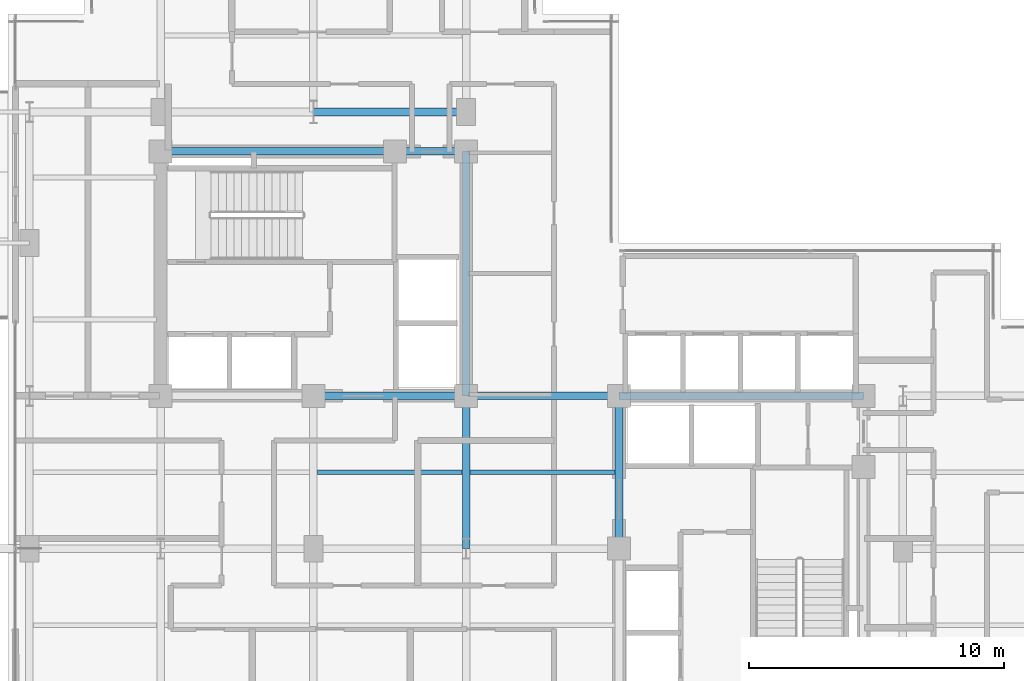
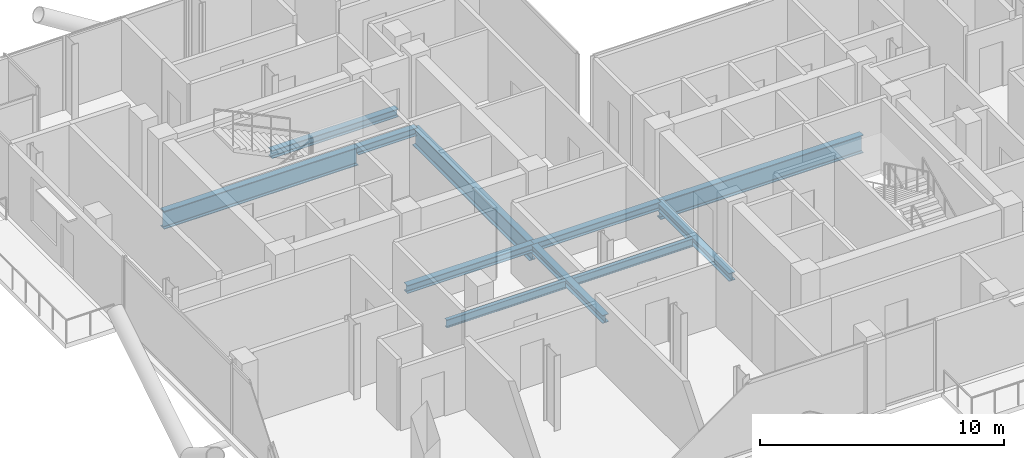
# One storey, part 9 of 26: 11 beams.
"""IFC4 building model written with IfcOpenShell, lengths in metres."""

from ifc_helpers import new_model, si_unit, direction, frame, origin, origin_2d, place, context, subcontext, project, spatial, i_section, extrude, material, material_profile, profile_set, type_object, element, save


model = new_model("IFC4")

# Units and contexts
model_context = context("Model", 3, precision=1e-05, world=origin(), true_north=direction((0.0, 1.0)))
body_context = subcontext(model_context, "Body", "Model", "MODEL_VIEW")
ifc_project = project(units=[si_unit("LENGTHUNIT", "METRE"), si_unit("AREAUNIT", "SQUARE_METRE"), si_unit("VOLUMEUNIT", "CUBIC_METRE"), si_unit("PLANEANGLEUNIT", "RADIAN"), si_unit("MASSUNIT", "GRAM", prefix="KILO"), si_unit("THERMODYNAMICTEMPERATUREUNIT", "KELVIN"), si_unit("POWERUNIT", "WATT")], contexts=[model_context])

# Site, building, storey
site_placement = place(None, origin())
site = spatial("IfcSite", under=ifc_project, at=site_placement, CompositionType="ELEMENT")
building_placement = place(site_placement, origin())
building = spatial("IfcBuilding", under=site, at=building_placement, Name="Svarakhadi Broadcast Tower", CompositionType="ELEMENT")
storey_placement = place(building_placement, frame((0.0, 0.0, 184.199951171875)))
storey = spatial("IfcBuildingStorey", under=building, at=storey_placement, Name="L45", CompositionType="ELEMENT", Elevation=184.199951171875)

# Beams
ifc_material_1 = material(Name="Steel S355J2 (IS 2062 E350C)", Category="steel")
ifc_material_profile_1 = material_profile(ifc_material_1, i_section(OverallWidth=0.179931640625, OverallDepth=0.39990234375, WebThickness=0.008544921875, FlangeThickness=0.013427734375, FilletRadius=0.02099609375, at=origin_2d()), Name="NPB 400x180x66")
ifc_profile_set_1 = profile_set([ifc_material_profile_1], Name="Steel S355J2 (IS 2062 E350C)")
beam_type_1 = type_object("IfcBeamType", Name="Beam_NPB400", PredefinedType="BEAM", material=ifc_profile_set_1)
for number, where, z_axis, x_axis, name in (
    (1, (12.159912109375, 15.0, -0.409912109375), (1.0, 0.0, 0.0), (0.0, 1.0, 0.0), "L45 Secondary Composite Beam SB011"),
    (2, (18.159912109375, 15.0, -0.409912109375), (1.0, 0.0, 0.0), (0.0, 1.0, 0.0), "L45 Secondary Composite Beam SB015"),
):
    element("IfcBeam", number, at=place(storey_placement, frame(where, z_axis=z_axis, x_axis=x_axis)), inside=storey, type_object=beam_type_1, Name=name, PredefinedType="BEAM", context=body_context, shape_type="SweptSolid", body=[
        extrude(i_section(OverallWidth=0.179931640625, OverallDepth=0.39990234375, WebThickness=0.008544921875, FlangeThickness=0.013427734375, FilletRadius=0.02099609375, at=origin_2d()), origin(), (0.0, 0.0, 1.0), 5.68017578125),
    ])
ifc_material_profile_2 = material_profile(ifc_material_1, i_section(OverallWidth=0.300048828125, OverallDepth=0.39990234375, WebThickness=0.013427734375, FlangeThickness=0.02392578125, FilletRadius=0.027099609375, at=origin_2d()), Name="WPB 400x300x155")
ifc_profile_set_2 = profile_set([ifc_material_profile_2], Name="Steel S355J2 (IS 2062 E350C)")
beam_type_2 = type_object("IfcBeamType", Name="Girder_WPB400", PredefinedType="USERDEFINED", material=ifc_profile_set_2)
for number, where, z_axis, x_axis, name in (
    (3, (12.0, 18.0, -0.409912109375), (1.0, 0.0, 0.0), (0.0, 1.0, 0.0), "L45 Primary E-W Girder G022"),
    (4, (18.0, 18.0, -0.409912109375), (1.0, 0.0, 0.0), (0.0, 1.0, 0.0), "L45 Primary E-W Girder G023"),
):
    element("IfcBeam", number, at=place(storey_placement, frame(where, z_axis=z_axis, x_axis=x_axis)), inside=storey, type_object=beam_type_2, Name=name, ObjectType="GIRDER", PredefinedType="USERDEFINED", context=body_context, shape_type="SweptSolid", body=[
        extrude(i_section(OverallWidth=0.300048828125, OverallDepth=0.39990234375, WebThickness=0.013427734375, FlangeThickness=0.02392578125, FilletRadius=0.027099609375, at=origin_2d()), origin(), (0.0, 0.0, 1.0), 6.0),
    ])
beam_1_placement = place(storey_placement, frame((15.199951171875, 27.60009765625, -0.409912109375), z_axis=(1.0, 0.0, 0.0), x_axis=(0.0, 1.0, 0.0)))
element("IfcBeam", 5, at=beam_1_placement, inside=storey, type_object=beam_type_2, Name="L45 Primary E-W Girder G027", ObjectType="GIRDER", PredefinedType="USERDEFINED", context=body_context, shape_type="SweptSolid", body=[
    extrude(i_section(OverallWidth=0.300048828125, OverallDepth=0.39990234375, WebThickness=0.013427734375, FlangeThickness=0.02392578125, FilletRadius=0.027099609375, at=origin_2d()), origin(), (0.0, 0.0, 1.0), 2.800048828125),
])
for number, where, z_axis, x_axis, name in (
    (6, (12.0, 29.14990234375, -0.409912109375), (1.0, 0.0, 0.0), (0.0, 1.0, 0.0), "L45 Primary E-W Girder G030"),
    (7, (18.0, 12.0, -0.409912109375), (0.0, 1.0, 0.0), (-1.0, 0.0, 0.0), "L45 Primary N-S Girder G048"),
    (8, (24.0, 12.0, -0.409912109375), (0.0, 1.0, 0.0), (-1.0, 0.0, 0.0), "L45 Primary N-S Girder G053"),
):
    element("IfcBeam", number, at=place(storey_placement, frame(where, z_axis=z_axis, x_axis=x_axis)), inside=storey, type_object=beam_type_2, Name=name, ObjectType="GIRDER", PredefinedType="USERDEFINED", context=body_context, shape_type="SweptSolid", body=[
        extrude(i_section(OverallWidth=0.300048828125, OverallDepth=0.39990234375, WebThickness=0.013427734375, FlangeThickness=0.02392578125, FilletRadius=0.027099609375, at=origin_2d()), origin(), (0.0, 0.0, 1.0), 6.0),
    ])
ifc_material_2 = material(Name="Steel S460ML (IS 2062 E450BR)", Category="steel")
ifc_material_profile_3 = material_profile(ifc_material_2, i_section(OverallWidth=0.300048828125, OverallDepth=0.89990234375, WebThickness=0.0185546875, FlangeThickness=0.034912109375, FilletRadius=0.030029296875, at=origin_2d()), Name="WPB 900x300x291")
ifc_profile_set_3 = profile_set([ifc_material_profile_3], Name="Steel S460ML (IS 2062 E450BR)")
beam_type_3 = type_object("IfcBeamType", Name="Girder_WPB900", PredefinedType="USERDEFINED", material=ifc_profile_set_3)
beam_2_placement = place(storey_placement, frame((24.0, 18.0, -0.659912109375), z_axis=(1.0, 0.0, 0.0), x_axis=(0.0, 1.0, 0.0)))
element("IfcBeam", 9, at=beam_2_placement, inside=storey, type_object=beam_type_3, Name="L45 Primary E-W Girder G024", ObjectType="GIRDER", PredefinedType="USERDEFINED", context=body_context, shape_type="SweptSolid", body=[
    extrude(i_section(OverallWidth=0.300048828125, OverallDepth=0.89990234375, WebThickness=0.0185546875, FlangeThickness=0.034912109375, FilletRadius=0.030029296875, at=origin_2d()), origin(), (0.0, 0.0, 1.0), 9.60009765625),
])
beam_3_placement = place(storey_placement, frame((6.0, 27.60009765625, -0.659912109375), z_axis=(1.0, 0.0, 0.0), x_axis=(0.0, 1.0, 0.0)))
element("IfcBeam", 10, at=beam_3_placement, inside=storey, type_object=beam_type_3, Name="L45 Primary E-W Girder G026", ObjectType="GIRDER", PredefinedType="USERDEFINED", context=body_context, shape_type="SweptSolid", body=[
    extrude(i_section(OverallWidth=0.300048828125, OverallDepth=0.89990234375, WebThickness=0.0185546875, FlangeThickness=0.034912109375, FilletRadius=0.030029296875, at=origin_2d()), origin(), (0.0, 0.0, 1.0), 9.199951171875),
])
beam_4_placement = place(storey_placement, frame((18.0, 18.0, -0.659912109375), z_axis=(0.0, 1.0, 0.0), x_axis=(-1.0, 0.0, 0.0)))
element("IfcBeam", 11, at=beam_4_placement, inside=storey, type_object=beam_type_3, Name="L45 Primary N-S Girder G049", ObjectType="GIRDER", PredefinedType="USERDEFINED", context=body_context, shape_type="SweptSolid", body=[
    extrude(i_section(OverallWidth=0.300048828125, OverallDepth=0.89990234375, WebThickness=0.0185546875, FlangeThickness=0.034912109375, FilletRadius=0.030029296875, at=origin_2d()), origin(), (0.0, 0.0, 1.0), 9.60009765625),
])

save(model, "model.ifc")
